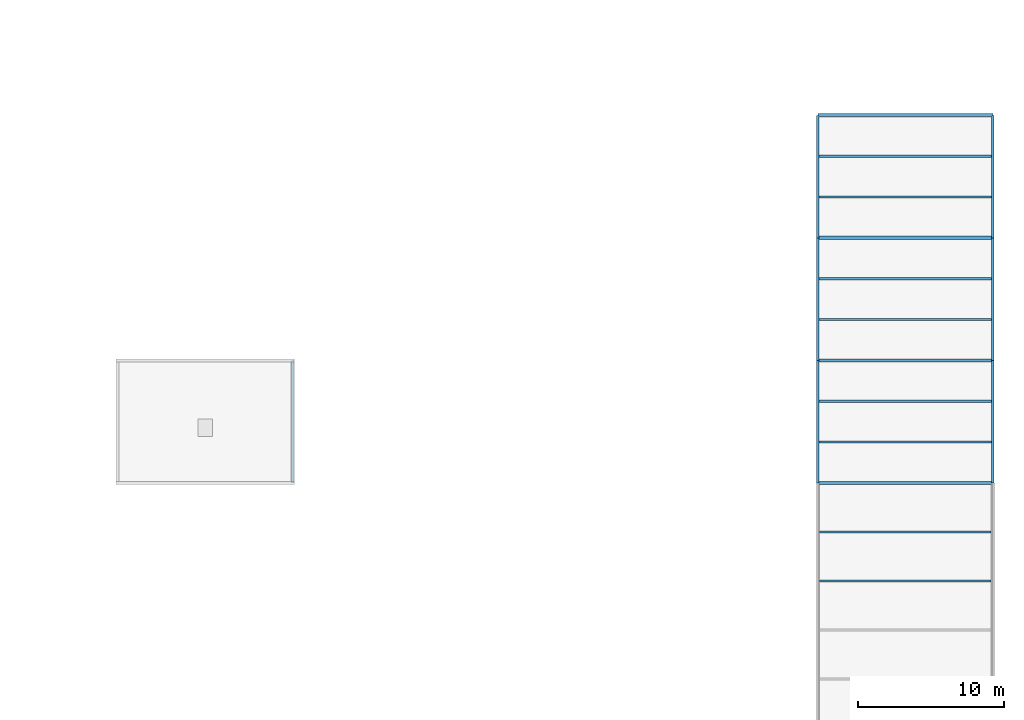
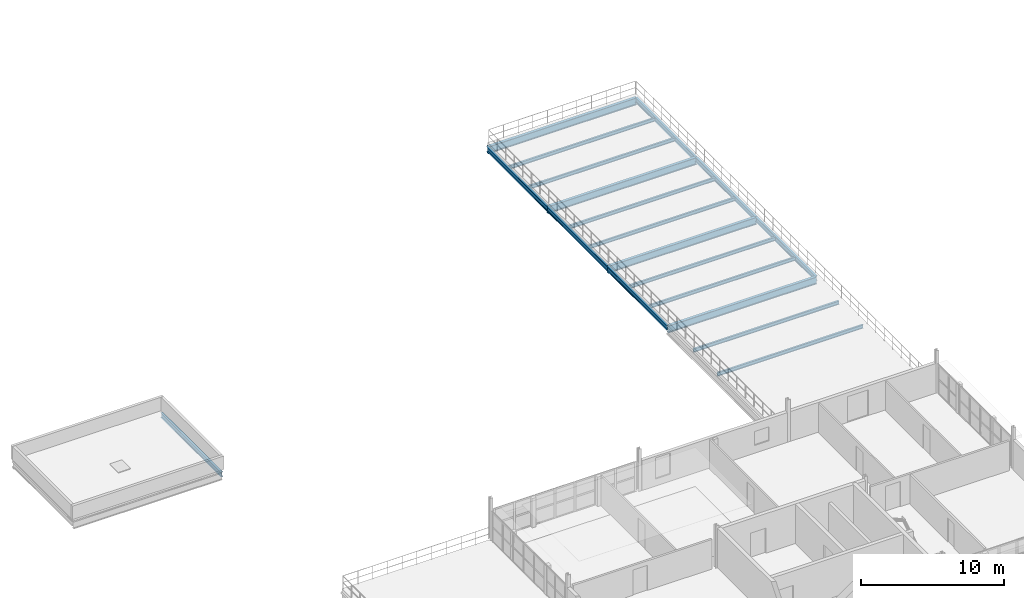
# One storey, part 34 of 62: 19 beams.
"""IFC4 building model written with IfcOpenShell, lengths in metres."""

from ifc_helpers import new_model, si_unit, direction, frame, origin, origin_2d, place, context, subcontext, project, spatial, i_section, extrude, material, material_profile, profile_set, type_object, element, save


model = new_model("IFC4")

# Units and contexts
model_context = context("Model", 3, precision=1e-05, world=origin(), true_north=direction((0.0, 1.0)))
body_context = subcontext(model_context, "Body", "Model", "MODEL_VIEW")
ifc_project = project(units=[si_unit("LENGTHUNIT", "METRE"), si_unit("AREAUNIT", "SQUARE_METRE"), si_unit("VOLUMEUNIT", "CUBIC_METRE"), si_unit("PLANEANGLEUNIT", "RADIAN"), si_unit("MASSUNIT", "GRAM", prefix="KILO"), si_unit("THERMODYNAMICTEMPERATUREUNIT", "KELVIN"), si_unit("POWERUNIT", "WATT")], contexts=[model_context])

# Site, building, storey
site_placement = place(None, origin())
site = spatial("IfcSite", under=ifc_project, at=site_placement, CompositionType="ELEMENT")
building_placement = place(site_placement, origin())
building = spatial("IfcBuilding", under=site, at=building_placement, Name="Tembeka Court Mobility Hub", CompositionType="ELEMENT")
storey_placement = place(building_placement, frame((0.0, 0.0, 16.199951171875)))
storey = spatial("IfcBuildingStorey", under=building, at=storey_placement, Name="L04", CompositionType="ELEMENT", Elevation=16.199951171875)

# Beams
ifc_material = material(Name="Steel S355", Category="steel")
ifc_material_profile_1 = material_profile(ifc_material, i_section(OverallWidth=0.177978515625, OverallDepth=0.406005859375, WebThickness=0.0078125, FlangeThickness=0.0126953125, FilletRadius=0.01025390625, at=origin_2d()), Name="UKB 406x178x60")
ifc_profile_set_1 = profile_set([ifc_material_profile_1], Name="Steel S355")
beam_type_1 = type_object("IfcBeamType", Name="BM-B02", PredefinedType="BEAM", material=ifc_profile_set_1)
for number, where, z_axis, x_axis, name in (
    (1, (128.39990234375, 38.39990234375, -0.432861328125), (0.0, 1.0, 0.0), (-1.0, 0.0, 0.0), "Beam B02 (BM-L04-Y2421)"),
    (2, (164.39990234375, 38.39990234375, -0.52294921875), (0.0, 1.0, 0.0), (-1.0, 0.0, 0.0), "Beam B02 (BM-L04-Y2429)"),
):
    element("IfcBeam", number, at=place(storey_placement, frame(where, z_axis=z_axis, x_axis=x_axis)), inside=storey, type_object=beam_type_1, Name=name, PredefinedType="BEAM", context=body_context, shape_type="SweptSolid", body=[
        extrude(i_section(OverallWidth=0.177978515625, OverallDepth=0.406005859375, WebThickness=0.0078125, FlangeThickness=0.0126953125, FilletRadius=0.01025390625, at=origin_2d()), origin(), (0.0, 0.0, 1.0), 8.400146484375),
    ])
beam_1_placement = place(storey_placement, frame((164.39990234375, 46.800048828125, -0.52294921875), z_axis=(0.0, 1.0, 0.0), x_axis=(-1.0, 0.0, 0.0)))
element("IfcBeam", 3, at=beam_1_placement, inside=storey, type_object=beam_type_1, Name="Beam B02 (BM-L04-Y2430)", PredefinedType="BEAM", context=body_context, shape_type="SweptSolid", body=[
    extrude(i_section(OverallWidth=0.177978515625, OverallDepth=0.406005859375, WebThickness=0.0078125, FlangeThickness=0.0126953125, FilletRadius=0.01025390625, at=origin_2d()), origin(), (0.0, 0.0, 1.0), 8.39990234375),
])
for number, where, z_axis, x_axis, name in (
    (4, (164.39990234375, 55.199951171875, -0.52294921875), (0.0, 1.0, 0.0), (-1.0, 0.0, 0.0), "Beam B02 (BM-L04-Y2431)"),
    (5, (176.39990234375, 38.39990234375, -0.52294921875), (0.0, 1.0, 0.0), (-1.0, 0.0, 0.0), "Beam B02 (BM-L04-Y2435)"),
):
    element("IfcBeam", number, at=place(storey_placement, frame(where, z_axis=z_axis, x_axis=x_axis)), inside=storey, type_object=beam_type_1, Name=name, PredefinedType="BEAM", context=body_context, shape_type="SweptSolid", body=[
        extrude(i_section(OverallWidth=0.177978515625, OverallDepth=0.406005859375, WebThickness=0.0078125, FlangeThickness=0.0126953125, FilletRadius=0.01025390625, at=origin_2d()), origin(), (0.0, 0.0, 1.0), 8.400146484375),
    ])
beam_2_placement = place(storey_placement, frame((176.39990234375, 46.800048828125, -0.52294921875), z_axis=(0.0, 1.0, 0.0), x_axis=(-1.0, 0.0, 0.0)))
element("IfcBeam", 6, at=beam_2_placement, inside=storey, type_object=beam_type_1, Name="Beam B02 (BM-L04-Y2436)", PredefinedType="BEAM", context=body_context, shape_type="SweptSolid", body=[
    extrude(i_section(OverallWidth=0.177978515625, OverallDepth=0.406005859375, WebThickness=0.0078125, FlangeThickness=0.0126953125, FilletRadius=0.01025390625, at=origin_2d()), origin(), (0.0, 0.0, 1.0), 8.39990234375),
])
beam_3_placement = place(storey_placement, frame((176.39990234375, 55.199951171875, -0.52294921875), z_axis=(0.0, 1.0, 0.0), x_axis=(-1.0, 0.0, 0.0)))
element("IfcBeam", 7, at=beam_3_placement, inside=storey, type_object=beam_type_1, Name="Beam B02 (BM-L04-Y2437)", PredefinedType="BEAM", context=body_context, shape_type="SweptSolid", body=[
    extrude(i_section(OverallWidth=0.177978515625, OverallDepth=0.406005859375, WebThickness=0.0078125, FlangeThickness=0.0126953125, FilletRadius=0.01025390625, at=origin_2d()), origin(), (0.0, 0.0, 1.0), 8.400146484375),
])
ifc_material_profile_2 = material_profile(ifc_material, i_section(OverallWidth=0.22900390625, OverallDepth=0.612060546875, WebThickness=0.011962890625, FlangeThickness=0.01953125, FilletRadius=0.0126953125, at=origin_2d()), Name="UKB 610x229x125")
ifc_profile_set_2 = profile_set([ifc_material_profile_2], Name="Steel S355")
beam_type_2 = type_object("IfcBeamType", Name="BM-G02", PredefinedType="USERDEFINED", material=ifc_profile_set_2)
for number, where, z_axis, x_axis, name in (
    (8, (164.39990234375, 38.39990234375, -0.6259765625), (1.0, 0.0, 0.0), (0.0, 1.0, 0.0), "Beam G02 (BM-L04-X2233)"),
    (9, (164.39990234375, 46.800048828125, -0.6259765625), (1.0, 0.0, 0.0), (0.0, 1.0, 0.0), "Beam G02 (BM-L04-X2244)"),
    (10, (164.39990234375, 55.199951171875, -0.6259765625), (1.0, 0.0, 0.0), (0.0, 1.0, 0.0), "Beam G02 (BM-L04-X2256)"),
    (11, (164.39990234375, 63.60009765625, -0.6259765625), (1.0, 0.0, 0.0), (0.0, 1.0, 0.0), "Beam G02 (BM-L04-X2268)"),
):
    element("IfcBeam", number, at=place(storey_placement, frame(where, z_axis=z_axis, x_axis=x_axis)), inside=storey, type_object=beam_type_2, Name=name, ObjectType="GIRDER", PredefinedType="USERDEFINED", context=body_context, shape_type="SweptSolid", body=[
        extrude(i_section(OverallWidth=0.22900390625, OverallDepth=0.612060546875, WebThickness=0.011962890625, FlangeThickness=0.01953125, FilletRadius=0.0126953125, at=origin_2d()), origin(), (0.0, 0.0, 1.0), 12.0),
    ])
ifc_material_profile_3 = material_profile(ifc_material, i_section(OverallWidth=0.14990234375, OverallDepth=0.300048828125, WebThickness=0.007080078125, FlangeThickness=0.0107421875, FilletRadius=0.014892578125, at=origin_2d()), Name="IPE 300")
ifc_profile_set_3 = profile_set([ifc_material_profile_3], Name="Steel S355")
beam_type_3 = type_object("IfcBeamType", Name="BM-J04", PredefinedType="JOIST", material=ifc_profile_set_3)
for number, where, z_axis, x_axis, name in (
    (12, (164.52197265625, 31.679931640625, -0.469970703125), (1.0, 0.0, 0.0), (0.0, 1.0, 0.0), "Beam J04 (JST-L04-2651)"),
    (13, (164.52197265625, 35.0400390625, -0.469970703125), (1.0, 0.0, 0.0), (0.0, 1.0, 0.0), "Beam J04 (JST-L04-2652)"),
):
    element("IfcBeam", number, at=place(storey_placement, frame(where, z_axis=z_axis, x_axis=x_axis)), inside=storey, type_object=beam_type_3, Name=name, PredefinedType="JOIST", context=body_context, shape_type="SweptSolid", body=[
        extrude(i_section(OverallWidth=0.14990234375, OverallDepth=0.300048828125, WebThickness=0.007080078125, FlangeThickness=0.0107421875, FilletRadius=0.014892578125, at=origin_2d()), origin(), (0.0, 0.0, 1.0), 11.756103515625),
    ])
for number, where, z_axis, x_axis, name in (
    (14, (164.48388671875, 41.199951171875, -0.469970703125), (1.0, 0.0, 0.0), (0.0, 1.0, 0.0), "Beam J04 (JST-L04-2653)"),
    (15, (164.48388671875, 44.0, -0.469970703125), (1.0, 0.0, 0.0), (0.0, 1.0, 0.0), "Beam J04 (JST-L04-2654)"),
    (16, (164.48388671875, 49.60009765625, -0.469970703125), (1.0, 0.0, 0.0), (0.0, 1.0, 0.0), "Beam J04 (JST-L04-2655)"),
    (17, (164.48388671875, 52.39990234375, -0.469970703125), (1.0, 0.0, 0.0), (0.0, 1.0, 0.0), "Beam J04 (JST-L04-2656)"),
    (18, (164.48388671875, 58.0, -0.469970703125), (1.0, 0.0, 0.0), (0.0, 1.0, 0.0), "Beam J04 (JST-L04-2657)"),
    (19, (164.48388671875, 60.800048828125, -0.469970703125), (1.0, 0.0, 0.0), (0.0, 1.0, 0.0), "Beam J04 (JST-L04-2658)"),
):
    element("IfcBeam", number, at=place(storey_placement, frame(where, z_axis=z_axis, x_axis=x_axis)), inside=storey, type_object=beam_type_3, Name=name, PredefinedType="JOIST", context=body_context, shape_type="SweptSolid", body=[
        extrude(i_section(OverallWidth=0.14990234375, OverallDepth=0.300048828125, WebThickness=0.007080078125, FlangeThickness=0.0107421875, FilletRadius=0.014892578125, at=origin_2d()), origin(), (0.0, 0.0, 1.0), 11.83203125),
    ])

save(model, "model.ifc")
